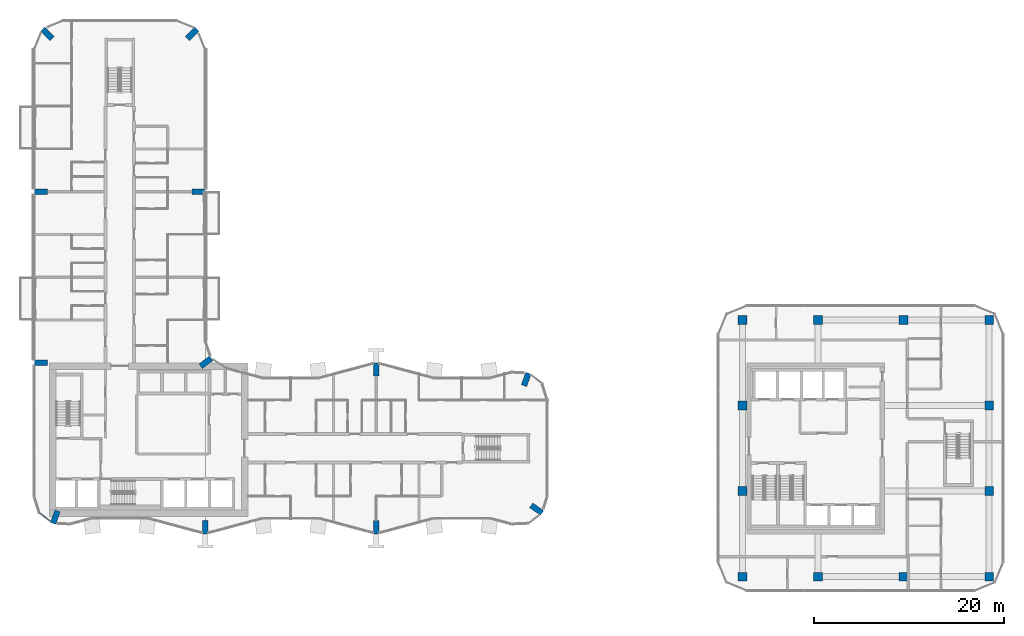
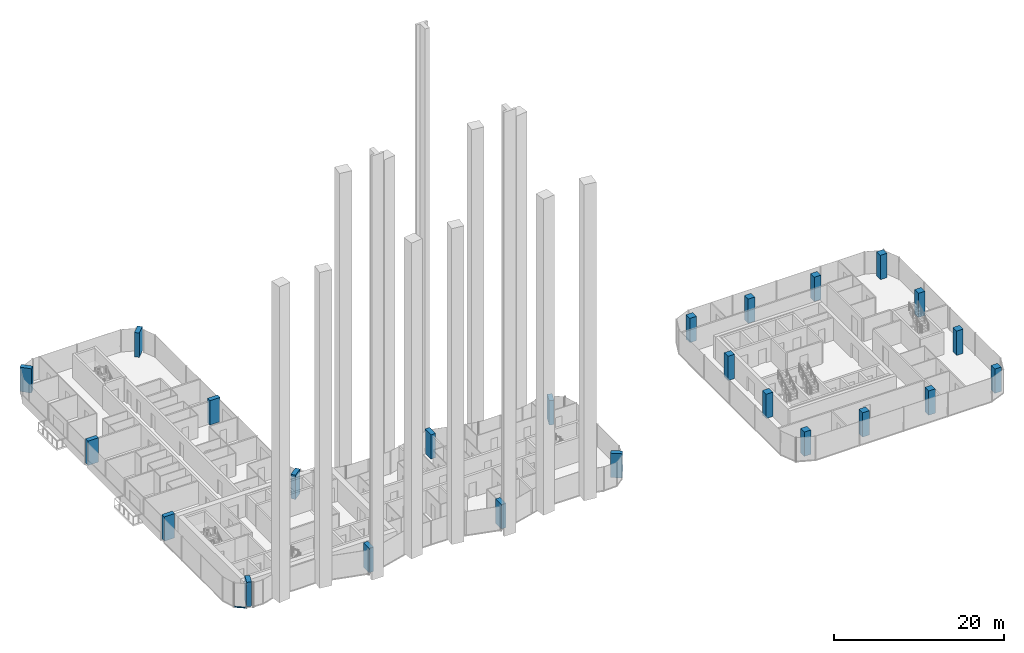
# One storey, part 1 of 27: 24 columns, 1 member, 1 element without a shape of its own.
"""IFC4 building model written with IfcOpenShell, lengths in metres."""

from ifc_helpers import new_model, si_unit, direction, frame, origin, origin_2d, place, context, subcontext, project, spatial, rectangle, extrude, material, layer, layer_set, material_profile, profile_set, type_object, element, aggregate, save


model = new_model("IFC4")

# Units and contexts
model_context = context("Model", 3, precision=1e-05, world=origin(), true_north=direction((0.0, 1.0)))
body_context = subcontext(model_context, "Body", "Model", "MODEL_VIEW")
ifc_project = project(units=[si_unit("LENGTHUNIT", "METRE"), si_unit("AREAUNIT", "SQUARE_METRE"), si_unit("VOLUMEUNIT", "CUBIC_METRE"), si_unit("PLANEANGLEUNIT", "RADIAN"), si_unit("MASSUNIT", "GRAM", prefix="KILO")], contexts=[model_context])

# Site, building, storey
site_placement = place(None, origin())
site = spatial("IfcSite", under=ifc_project, at=site_placement, CompositionType="ELEMENT")
building_placement = place(site_placement, origin())
building = spatial("IfcBuilding", under=site, at=building_placement, Name="Plateau Cross Towers", CompositionType="ELEMENT")
storey_placement = place(building_placement, frame((0.0, 0.0, 78.300048828125)))
storey = spatial("IfcBuildingStorey", under=building, at=storey_placement, Name="L19", CompositionType="ELEMENT", Elevation=78.300048828125)

# Columns
ifc_material_1 = material(Name="Concrete C60/75", Category="concrete")
ifc_material_profile_1 = material_profile(ifc_material_1, rectangle(XDim=0.60009765625, YDim=1.39990234375, at=origin_2d()), Name="RC 600x1400")
ifc_profile_set_1 = profile_set([ifc_material_profile_1], Name="Concrete C60/75")
column_type_1 = type_object("IfcColumnType", Name="Fin pier column RC 600x1400", PredefinedType="COLUMN", material=ifc_profile_set_1)
for number, where, z_axis, x_axis, name in (
    (1, (18.0, 0.699951171875, 0.0), (0.0, 0.0, 1.0), (1.0, 0.0, 0.0), "PR1 L19"),
    (2, (36.0, 0.699951171875, 0.0), (0.0, 0.0, 1.0), (1.0, 0.0, 0.0), "PR2 L19"),
    (3, (52.884033203125, 2.590087890625, 0.0), (0.0, 0.0, 1.0), (0.573542637991, 0.819175709117, 0.0), "PR3 L19"),
    (4, (51.786865234375, 16.251953125, 0.0), (0.0, 0.0, 1.0), (-0.939664280925, 0.342097996418, 0.0), "PR4 L19"),
    (5, (36.0, 17.300048828125, 0.0), (0.0, 0.0, 1.0), (1.0, 0.0, 0.0), "PR5 L19"),
    (6, (18.064697265625, 18.049560546875, 0.0), (0.0, 0.0, 1.0), (-0.608810846443, 0.793315418515, 0.0), "PR6 L19"),
    (7, (17.300048828125, 36.0, 0.0), (0.0, 0.0, 1.0), (0.0, 1.0, 0.0), "PR7 L19"),
    (8, (16.62646484375, 52.62646484375, 0.0), (0.0, 0.0, 1.0), (-0.707106781187, 0.707106781187, 0.0), "PR8 L19"),
    (9, (1.37353515625, 52.62646484375, 0.0), (0.0, 0.0, 1.0), (0.707106781187, 0.707106781187, 0.0), "PR9 L19"),
    (10, (0.699951171875, 36.0, 0.0), (0.0, 0.0, 1.0), (0.0, 1.0, 0.0), "PR10 L19"),
    (11, (0.699951171875, 18.0, 0.0), (0.0, 0.0, 1.0), (0.0, 1.0, 0.0), "PR11 L19"),
    (12, (2.213134765625, 1.748046875, 0.0), (0.0, 0.0, 1.0), (-0.939664280925, 0.342097996418, 0.0), "PR12 L19"),
):
    element("IfcColumn", number, at=place(storey_placement, frame(where, z_axis=z_axis, x_axis=x_axis)), inside=storey, type_object=column_type_1, Name=name, PredefinedType="COLUMN", context=body_context, shape_type="SweptSolid", body=[
        extrude(rectangle(XDim=0.60009765625, YDim=1.39990234375, at=origin_2d()), origin(), (0.0, 0.0, 1.0), 3.5),
    ])
ifc_material_profile_2 = material_profile(ifc_material_1, rectangle(XDim=0.89990234375, YDim=0.89990234375, at=origin_2d()), Name="RC 900x900")
ifc_profile_set_2 = profile_set([ifc_material_profile_2], Name="Concrete C60/75")
column_type_2 = type_object("IfcColumnType", Name="Office column RC 900x900", PredefinedType="COLUMN", material=ifc_profile_set_2)
for number, where, z_axis, x_axis, name in (
    (13, (74.550048828125, -4.5, 0.0), (0.0, 0.0, 1.0), (1.0, 0.0, 0.0), "B-C746_-45 L19"),
    (14, (82.5, -4.5, 0.0), (0.0, 0.0, 1.0), (1.0, 0.0, 0.0), "B-C825_-45 L19"),
    (15, (91.5, -4.5, 0.0), (0.0, 0.0, 1.0), (1.0, 0.0, 0.0), "B-C915_-45 L19"),
    (16, (100.5, -4.5, 0.0), (0.0, 0.0, 1.0), (1.0, 0.0, 0.0), "B-C1005_-45 L19"),
    (17, (100.5, 4.5, 0.0), (0.0, 0.0, 1.0), (1.0, 0.0, 0.0), "B-C1005_45 L19"),
    (18, (100.5, 13.5, 0.0), (0.0, 0.0, 1.0), (1.0, 0.0, 0.0), "B-C1005_135 L19"),
    (19, (100.5, 22.5, 0.0), (0.0, 0.0, 1.0), (1.0, 0.0, 0.0), "B-C1005_225 L19"),
    (20, (91.5, 22.5, 0.0), (0.0, 0.0, 1.0), (1.0, 0.0, 0.0), "B-C915_225 L19"),
    (21, (82.5, 22.5, 0.0), (0.0, 0.0, 1.0), (1.0, 0.0, 0.0), "B-C825_225 L19"),
    (22, (74.550048828125, 22.5, 0.0), (0.0, 0.0, 1.0), (1.0, 0.0, 0.0), "B-C746_225 L19"),
    (23, (74.550048828125, 13.5, 0.0), (0.0, 0.0, 1.0), (1.0, 0.0, 0.0), "B-C746_135 L19"),
    (24, (74.550048828125, 4.5, 0.0), (0.0, 0.0, 1.0), (1.0, 0.0, 0.0), "B-C746_45 L19"),
):
    element("IfcColumn", number, at=place(storey_placement, frame(where, z_axis=z_axis, x_axis=x_axis)), inside=storey, type_object=column_type_2, Name=name, PredefinedType="COLUMN", context=body_context, shape_type="SweptSolid", body=[
        extrude(rectangle(XDim=0.89990234375, YDim=0.89990234375, at=origin_2d()), origin(), (0.0, 0.0, 1.0), 3.5),
    ])

# Curtain wall, member
ifc_material_2 = material(Name="Dark low-iron glass", Category="glass")
ifc_layer = layer(ifc_material_2, 0.239990234375)
ifc_layer_set = layer_set([ifc_layer], Name="Dark low-iron glass")
curtain_wall_type = type_object("IfcCurtainWallType", Name="Curtain wall flush unitised CW-B", PredefinedType="NOTDEFINED", material=ifc_layer_set)
curtain_wall_placement = place(storey_placement, origin())
curtain_wall = element("IfcCurtainWall", 25, at=curtain_wall_placement, inside=storey, type_object=curtain_wall_type, Name="ENV/A/L19/A5_22", PredefinedType="NOTDEFINED")
ifc_material_3 = material(Name="Black anodised aluminium", Category="aluminium")
ifc_material_profile_3 = material_profile(ifc_material_3, rectangle(XDim=0.10009765625, YDim=0.1201171875, at=origin_2d()), Name="TRANSOM 100x120")
ifc_profile_set_3 = profile_set([ifc_material_profile_3], Name="Black anodised aluminium")
member_type = type_object("IfcMemberType", Name="Transom 100x120 flush unitised", PredefinedType="USERDEFINED", material=ifc_profile_set_3)
member_placement = place(storey_placement, frame((0.54248046875, 2.1884765625, -0.18994140625), z_axis=(0.793320508571, -0.608804213751, 0.0), x_axis=(0.608804213751, 0.793320508571, 0.0)))
member = element("IfcMember", 26, at=member_placement, type_object=member_type, Name="CW-B transom", ObjectType="TRANSOM", PredefinedType="USERDEFINED", context=body_context, shape_type="SweptSolid", body=[
    extrude(rectangle(XDim=0.10009765625, YDim=0.1201171875, at=origin_2d()), origin(), (0.0, 0.0, 1.0), 1.471435546875),
])
aggregate(curtain_wall, [member])

save(model, "model.ifc")
